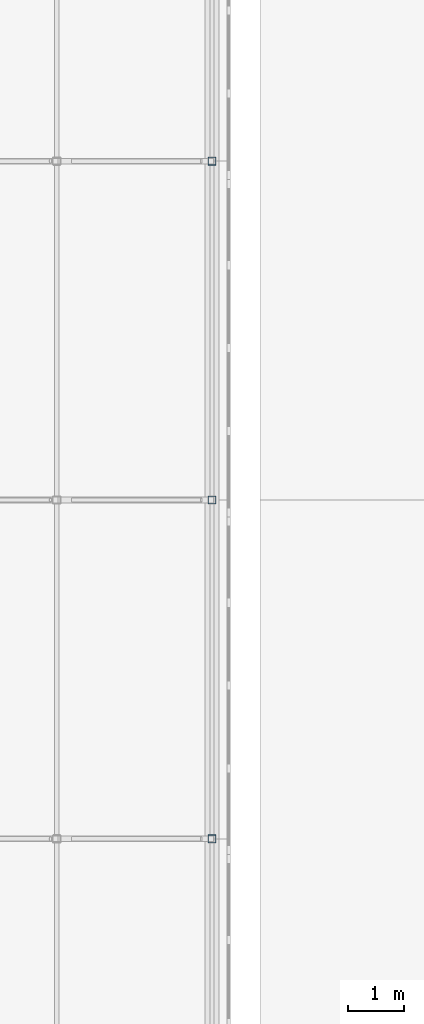
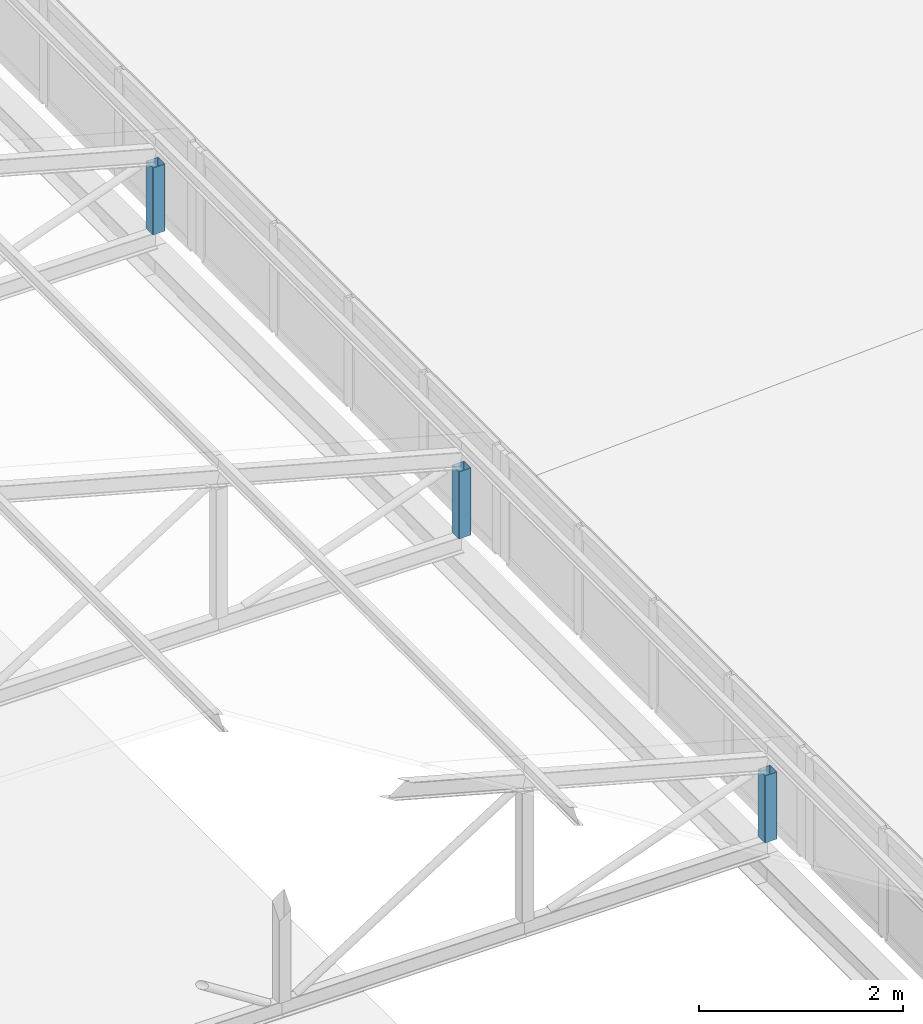
# One storey, part 75 of 94: 3 members.
"""IFC4 building model written with IfcOpenShell, lengths in metres."""

from ifc_helpers import new_model, si_unit, direction, frame, origin, origin_2d, place, context, subcontext, project, spatial, hollow_rectangle, extrude, material, material_profile, profile_set, type_object, element, save


model = new_model("IFC4")

# Units and contexts
model_context = context("Model", 3, precision=1e-05, world=origin(), true_north=direction((0.0, 1.0)))
body_context = subcontext(model_context, "Body", "Model", "MODEL_VIEW")
ifc_project = project(units=[si_unit("LENGTHUNIT", "METRE"), si_unit("AREAUNIT", "SQUARE_METRE"), si_unit("VOLUMEUNIT", "CUBIC_METRE"), si_unit("PLANEANGLEUNIT", "RADIAN"), si_unit("MASSUNIT", "GRAM", prefix="KILO")], contexts=[model_context])

# Site, building, storey
site_placement = place(None, origin())
site = spatial("IfcSite", under=ifc_project, at=site_placement, CompositionType="ELEMENT")
building_placement = place(site_placement, origin())
building = spatial("IfcBuilding", under=site, at=building_placement, Name="Lilac Gate Convention Centre", CompositionType="ELEMENT")
storey_placement = place(building_placement, frame((0.0, 0.0, 21.0)))
storey = spatial("IfcBuildingStorey", under=building, at=storey_placement, Name="L04", CompositionType="ELEMENT", Elevation=21.0)

# Members
ifc_material = material(Name="Steel Q355B", Category="steel")
ifc_material_profile = material_profile(ifc_material, hollow_rectangle(XDim=0.139892578125, YDim=0.139892578125, WallThickness=0.0048828125, InnerFilletRadius=0.0048828125, OuterFilletRadius=0.010009765625, at=origin_2d()), Name="SHS140x140x5")
ifc_profile_set = profile_set([ifc_material_profile], Name="Steel Q355B")
member_type = type_object("IfcMemberType", Name="Lantern post SHS140x140x5", PredefinedType="STRUT", material=ifc_profile_set)
for number, where, z_axis, x_axis, name in (
    (1, (28.60009765625, 192.0, 0.199951171875), (0.0, 0.0, 1.0), (1.0, 0.0, 0.0), "LV1 lantern truss 28 post 5"),
    (2, (28.60009765625, 198.0, 0.199951171875), (0.0, 0.0, 1.0), (1.0, 0.0, 0.0), "LV1 lantern truss 29 post 5"),
    (3, (28.60009765625, 204.0, 0.199951171875), (0.0, 0.0, 1.0), (1.0, 0.0, 0.0), "LV1 lantern truss 30 post 5"),
):
    element("IfcMember", number, at=place(storey_placement, frame(where, z_axis=z_axis, x_axis=x_axis)), inside=storey, type_object=member_type, Name=name, PredefinedType="STRUT", context=body_context, shape_type="SweptSolid", body=[
        extrude(hollow_rectangle(XDim=0.139892578125, YDim=0.139892578125, WallThickness=0.0048828125, InnerFilletRadius=0.0048828125, OuterFilletRadius=0.010009765625, at=origin_2d()), origin(), (0.0, 0.0, 1.0), 0.802001953125),
    ])

save(model, "model.ifc")
